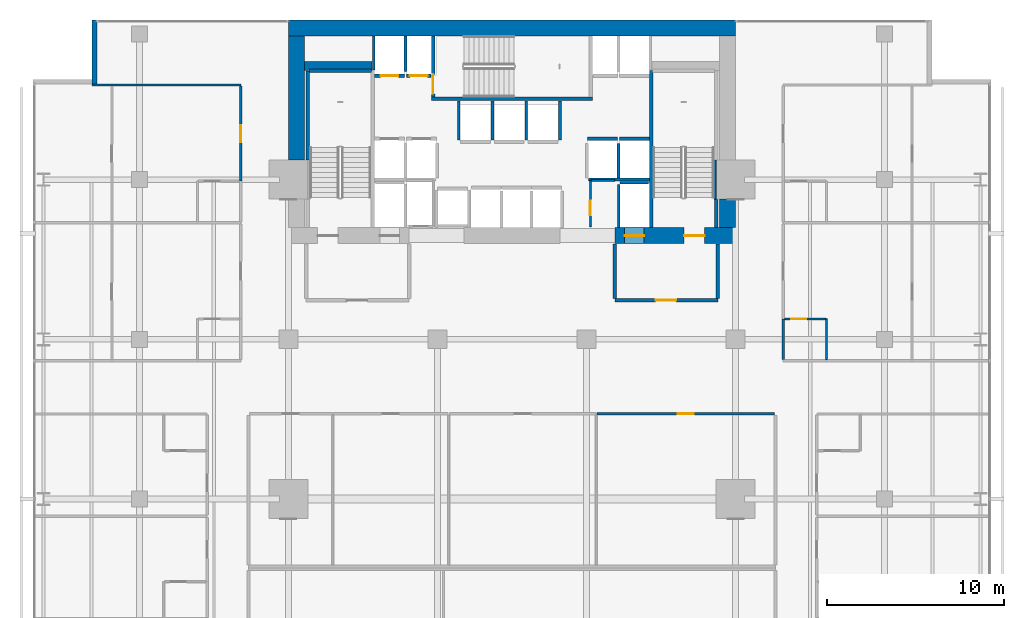
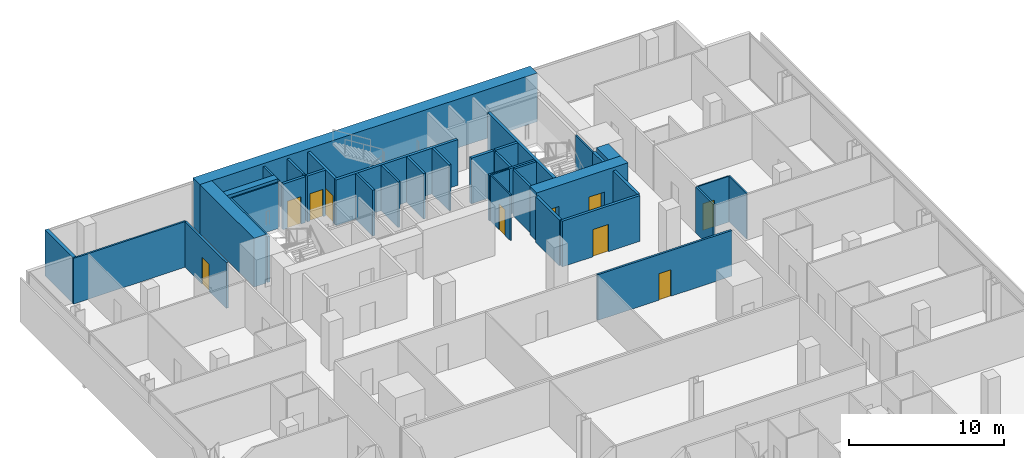
# One storey, part 36 of 40: 38 walls, 10 doors, 10 openings.
"""IFC4 building model written with IfcOpenShell, lengths in metres."""

from ifc_helpers import new_model, si_unit, direction, frame, frame_2d, origin, place, context, subcontext, project, spatial, rectangle, extrude, material, layer, layer_set, type_object, element, fill, save


model = new_model("IFC4")

# Units and contexts
model_context = context("Model", 3, precision=1e-05, world=origin(), true_north=direction((0.0, 1.0)))
body_context = subcontext(model_context, "Body", "Model", "MODEL_VIEW")
ifc_project = project(units=[si_unit("LENGTHUNIT", "METRE"), si_unit("AREAUNIT", "SQUARE_METRE"), si_unit("VOLUMEUNIT", "CUBIC_METRE"), si_unit("PLANEANGLEUNIT", "RADIAN"), si_unit("MASSUNIT", "GRAM", prefix="KILO")], contexts=[model_context])

# Site, building, storey
site_placement = place(None, origin())
site = spatial("IfcSite", under=ifc_project, at=site_placement, CompositionType="ELEMENT")
building_placement = place(site_placement, origin())
building = spatial("IfcBuilding", under=site, at=building_placement, Name="Maruvema Waterfront Hotel and Observation Tower", CompositionType="ELEMENT")
storey_placement = place(building_placement, frame((0.0, 0.0, 92.39990234375)))
storey = spatial("IfcBuildingStorey", under=building, at=storey_placement, Name="L22", CompositionType="ELEMENT", Elevation=92.39990234375)

# Wall, opening, door
ifc_material_1 = material(Name="Twin-stud acoustic gypsum drywall", Category="gypsum")
ifc_layer_1 = layer(ifc_material_1, 0.14990234375, Name="Acoustic Corridor and Suite Demising Wall 150 mm")
ifc_layer_set_1 = layer_set([ifc_layer_1], Name="Twin-stud acoustic gypsum drywall")
wall_type_1 = type_object("IfcWallType", Name="Acoustic Corridor and Suite Demising Wall 150 mm", PredefinedType="PARTITIONING", material=ifc_layer_set_1)
wall_1_placement = place(storey_placement, frame((42.58203125, 31.800048828125, 0.0), z_axis=(0.0, 0.0, 1.0), x_axis=(1.0, 0.0, 0.0)))
wall_1 = element("IfcWall", 1, at=wall_1_placement, inside=storey, type_object=wall_type_1, Name="L22 L22-INTN Front 4 021", PredefinedType="PARTITIONING", context=body_context, shape_type="SweptSolid", body=[
    extrude(rectangle(XDim=10.008056640625, YDim=0.14990234375, at=frame_2d((5.00390625, 0.0))), origin(), (0.0, 0.0, 1.0), 3.610107421875),
])
opening_1_placement = place(wall_1_placement, frame((4.553955078125, 0.0, 0.0)))
opening_1 = element("IfcOpeningElement", 2, at=opening_1_placement, cuts=wall_1, Name="Opening DR-090", PredefinedType="OPENING", context=body_context, shape_type="SweptSolid", body=[
    extrude(rectangle(XDim=0.89990234375, YDim=2.10009765625, at=frame_2d((0.449951171875, 1.050048828125))), frame((0.0, 0.0849609375, 0.0), z_axis=(0.0, -1.0, 0.0), x_axis=(1.0, 0.0, 0.0)), (0.0, 0.0, 1.0), 0.169921875),
])
ifc_material_2 = material(Name="Solid-core lacquered timber leaf", Category="wood")
door_type_1 = type_object("IfcDoorType", Name="Accessible Toilet and Room Door 900x2100 mm", OperationType="NOTDEFINED", PredefinedType="DOOR", material=ifc_material_2)
door_1_placement = place(opening_1_placement, origin())
door_1 = element("IfcDoor", 3, at=door_1_placement, inside=storey, type_object=door_type_1, Name="L22 Butler Kitchenette Door", OperationType="SINGLE_SWING_RIGHT", OverallHeight=2.10009765625, OverallWidth=0.89990234375, PredefinedType="DOOR", context=body_context, shape_type="SweptSolid", body=[
    extrude(rectangle(XDim=0.89990234375, YDim=2.10009765625, at=frame_2d((0.449951171875, 1.050048828125))), frame((0.0, 0.02490234375, 0.0), z_axis=(0.0, -1.0, 0.0), x_axis=(1.0, 0.0, 0.0)), (0.0, 0.0, 1.0), 0.050048828125),
])
fill(opening_1, door_1)

# Wall
wall_2_placement = place(storey_placement, frame((53.080078125, 34.860107421875, 0.0), z_axis=(0.0, 0.0, 1.0), x_axis=(0.0, 1.0, 0.0)))
element("IfcWall", 4, at=wall_2_placement, inside=storey, type_object=wall_type_1, Name="L22 Bath L22-NE1 Wall 098", PredefinedType="PARTITIONING", context=body_context, shape_type="SweptSolid", body=[
    extrude(rectangle(XDim=2.289794921875, YDim=0.14990234375, at=frame_2d((1.14501953125, 0.0))), origin(), (0.0, 0.0, 1.0), 3.610107421875),
])

# Wall, opening, door
wall_3_placement = place(storey_placement, frame((22.52001953125, 44.918701171875, 0.0), z_axis=(0.0, 0.0, 1.0), x_axis=(0.0, 1.0, 0.0)))
wall_3 = element("IfcWall", 5, at=wall_3_placement, inside=storey, type_object=wall_type_1, Name="L22 Room L22-NW2 Corridor Wall 106", PredefinedType="PARTITIONING", context=body_context, shape_type="SweptSolid", body=[
    extrude(rectangle(XDim=5.35888671875, YDim=0.14990234375, at=frame_2d((2.679443359375, 0.0))), origin(), (0.0, 0.0, 1.0), 3.610107421875),
])
opening_2_placement = place(wall_3_placement, frame((2.204345703125, 0.0, 0.0)))
opening_2 = element("IfcOpeningElement", 6, at=opening_2_placement, cuts=wall_3, Name="Opening DR-095", PredefinedType="OPENING", context=body_context, shape_type="SweptSolid", body=[
    extrude(rectangle(XDim=0.949951171875, YDim=2.14990234375, at=frame_2d((0.47509765625, 1.074951171875))), frame((0.0, 0.0849609375, 0.0), z_axis=(0.0, -1.0, 0.0), x_axis=(1.0, 0.0, 0.0)), (0.0, 0.0, 1.0), 0.169921875),
])
ifc_material_3 = material(Name="Acoustic solid-core hardwood timber leaf", Category="wood")
door_type_2 = type_object("IfcDoorType", Name="Guestroom Entrance Fire Door 950x2150 mm", OperationType="NOTDEFINED", PredefinedType="DOOR", material=ifc_material_3)
door_2_placement = place(opening_2_placement, origin())
door_2 = element("IfcDoor", 7, at=door_2_placement, inside=storey, type_object=door_type_2, Name="L22 Room L22-NW2 Entrance Door", OperationType="SINGLE_SWING_RIGHT", OverallHeight=2.14990234375, OverallWidth=0.949951171875, PredefinedType="DOOR", context=body_context, shape_type="SweptSolid", body=[
    extrude(rectangle(XDim=0.949951171875, YDim=2.14990234375, at=frame_2d((0.47509765625, 1.074951171875))), frame((0.0, 0.02490234375, 0.0), z_axis=(0.0, -1.0, 0.0), x_axis=(1.0, 0.0, 0.0)), (0.0, 0.0, 1.0), 0.050048828125),
])
fill(opening_2, door_2)

# Walls
ifc_material_4 = material(Name="Precast concrete C45/55", Category="concrete")
ifc_layer_2 = layer(ifc_material_4, 0.199951171875, Name="Core Shaft and Stairwell Enclosure Wall 200 mm")
ifc_layer_set_2 = layer_set([ifc_layer_2], Name="Precast concrete C45/55")
wall_type_2 = type_object("IfcWallType", Name="Core Shaft and Stairwell Enclosure Wall 200 mm", PredefinedType="SOLIDWALL", material=ifc_layer_set_2)
wall_4_placement = place(storey_placement, frame((26.300048828125, 46.1201171875, 0.0), z_axis=(0.0, 0.0, 1.0), x_axis=(0.0, 1.0, 0.0)))
element("IfcWall", 8, at=wall_4_placement, inside=storey, type_object=wall_type_2, Name="L22 Stairwell ST-01 Shaft Lining Wall", PredefinedType="SOLIDWALL", context=body_context, shape_type="SweptSolid", body=[
    extrude(rectangle(XDim=5.0, YDim=0.199951171875, at=frame_2d((2.5, 0.0))), origin(), (0.0, 0.0, 1.0), 3.610107421875),
])
wall_5_placement = place(storey_placement, frame((26.3798828125, 51.14990234375, 0.0), z_axis=(0.0, 0.0, 1.0), x_axis=(1.0, 0.0, 0.0)))
element("IfcWall", 9, at=wall_5_placement, inside=storey, type_object=wall_type_2, Name="L22 Stairwell ST-01 Shaft Lining Wall", PredefinedType="SOLIDWALL", context=body_context, shape_type="SweptSolid", body=[
    extrude(rectangle(XDim=3.5, YDim=0.199951171875, at=frame_2d((1.75, 0.0))), origin(), (0.0, 0.0, 1.0), 3.610107421875),
])
wall_6_placement = place(storey_placement, frame((33.25, 49.550048828125, 0.0), z_axis=(0.0, 0.0, 1.0), x_axis=(1.0, 0.0, 0.0)))
element("IfcWall", 10, at=wall_6_placement, inside=storey, type_object=wall_type_2, Name="L22 Stairwell ST-02 Shaft Wall", PredefinedType="SOLIDWALL", context=body_context, shape_type="SweptSolid", body=[
    extrude(rectangle(XDim=9.10009765625, YDim=0.199951171875, at=frame_2d((4.550048828125, 0.0))), origin(), (0.0, 0.0, 1.0), 3.610107421875),
])

# Wall, opening, door
wall_7_placement = place(storey_placement, frame((33.35009765625, 49.64990234375, 0.0), z_axis=(0.0, 0.0, 1.0), x_axis=(0.0, 1.0, 0.0)))
wall_7 = element("IfcWall", 11, at=wall_7_placement, inside=storey, type_object=wall_type_2, Name="L22 Stairwell ST-02 Shaft Wall", PredefinedType="SOLIDWALL", context=body_context, shape_type="SweptSolid", body=[
    extrude(rectangle(XDim=3.4501953125, YDim=0.199951171875, at=frame_2d((1.72509765625, 0.0))), origin(), (0.0, 0.0, 1.0), 3.610107421875),
])
opening_3_placement = place(wall_7_placement, frame((0.179931640625, 0.0, 0.0)))
opening_3 = element("IfcOpeningElement", 12, at=opening_3_placement, cuts=wall_7, Name="Opening SD-02", PredefinedType="OPENING", context=body_context, shape_type="SweptSolid", body=[
    extrude(rectangle(XDim=1.10009765625, YDim=2.14990234375, at=frame_2d((0.550048828125, 1.074951171875))), frame((0.0, 0.10986328125, 0.0), z_axis=(0.0, -1.0, 0.0), x_axis=(1.0, 0.0, 0.0)), (0.0, 0.0, 1.0), 0.219970703125),
])
ifc_material_5 = material(Name="Fire-rated galvanised steel leaf", Category="steel")
door_type_3 = type_object("IfcDoorType", Name="Central Exit Stair Fire Door 1100x2150 mm", OperationType="NOTDEFINED", PredefinedType="DOOR", material=ifc_material_5)
door_3_placement = place(opening_3_placement, frame((1.10009765625, 0.0, 0.0), z_axis=(0.0, 0.0, 1.0), x_axis=(-1.0, 0.0, 0.0)))
door_3 = element("IfcDoor", 13, at=door_3_placement, inside=storey, type_object=door_type_3, Name="L22 Exit Stair ST-02 Fire Door", OperationType="SINGLE_SWING_LEFT", OverallHeight=2.14990234375, OverallWidth=1.10009765625, PredefinedType="DOOR", context=body_context, shape_type="SweptSolid", body=[
    extrude(rectangle(XDim=1.10009765625, YDim=2.14990234375, at=frame_2d((0.550048828125, 1.074951171875))), frame((0.0, 0.02490234375, 0.0), z_axis=(0.0, -1.0, 0.0), x_axis=(1.0, 0.0, 0.0)), (0.0, 0.0, 1.0), 0.050048828125),
])
fill(opening_3, door_3)

# Walls
wall_8_placement = place(storey_placement, frame((45.64990234375, 42.300048828125, 0.0), z_axis=(0.0, 0.0, 1.0), x_axis=(0.0, 1.0, 0.0)))
element("IfcWall", 14, at=wall_8_placement, inside=storey, type_object=wall_type_2, Name="L22 Stairwell ST-03 West Shaft Wall", PredefinedType="SOLIDWALL", context=body_context, shape_type="SweptSolid", body=[
    extrude(rectangle(XDim=8.849853515625, YDim=0.199951171875, at=frame_2d((4.4248046875, 0.0))), origin(), (0.0, 0.0, 1.0), 3.610107421875),
])
wall_9_placement = place(storey_placement, frame((49.300048828125, 42.300048828125, 0.0), z_axis=(0.0, 0.0, 1.0), x_axis=(0.0, 1.0, 0.0)))
element("IfcWall", 15, at=wall_9_placement, inside=storey, type_object=wall_type_2, Name="L22 Stairwell ST-03 Shaft Lining Wall", PredefinedType="SOLIDWALL", context=body_context, shape_type="SweptSolid", body=[
    extrude(rectangle(XDim=1.579833984375, YDim=0.199951171875, at=frame_2d((0.7900390625, 0.0))), origin(), (0.0, 0.0, 1.0), 3.610107421875),
])

# Wall, opening, door
wall_10_placement = place(storey_placement, frame((30.06005859375, 50.85009765625, 0.0), z_axis=(0.0, 0.0, 1.0), x_axis=(1.0, 0.0, 0.0)))
wall_10 = element("IfcWall", 16, at=wall_10_placement, inside=storey, type_object=wall_type_2, Name="L22 Lift LF-03 Hoistway Front Wall", PredefinedType="SOLIDWALL", context=body_context, shape_type="SweptSolid", body=[
    extrude(rectangle(XDim=1.679931640625, YDim=0.199951171875, at=frame_2d((0.83984375, 0.0))), origin(), (0.0, 0.0, 1.0), 3.610107421875),
])
opening_4_placement = place(wall_10_placement, frame((0.340087890625, 0.0, 0.0)))
opening_4 = element("IfcOpeningElement", 17, at=opening_4_placement, cuts=wall_10, Name="Opening LD-01", PredefinedType="OPENING", context=body_context, shape_type="SweptSolid", body=[
    extrude(rectangle(XDim=1.0, YDim=2.14990234375, at=frame_2d((0.5, 1.074951171875))), frame((0.0, 0.10986328125, 0.0), z_axis=(0.0, -1.0, 0.0), x_axis=(1.0, 0.0, 0.0)), (0.0, 0.0, 1.0), 0.219970703125),
])
ifc_material_6 = material(Name="Brushed stainless steel Grade 316", Category="steel")
door_type_4 = type_object("IfcDoorType", Name="Passenger Lift Sliding Landing Door 1000x2150 mm", OperationType="SLIDING_TO_LEFT", PredefinedType="DOOR", material=ifc_material_6)
door_4_placement = place(opening_4_placement, frame((1.0, 0.0, 0.0), z_axis=(0.0, 0.0, 1.0), x_axis=(-1.0, 0.0, 0.0)))
door_4 = element("IfcDoor", 18, at=door_4_placement, inside=storey, type_object=door_type_4, Name="L22 Lift LF-03 Sliding Landing Door", OperationType="SLIDING_TO_LEFT", OverallHeight=2.14990234375, OverallWidth=1.0, PredefinedType="DOOR", context=body_context, shape_type="SweptSolid", body=[
    extrude(rectangle(XDim=1.0, YDim=2.14990234375, at=frame_2d((0.5, 1.074951171875))), frame((0.0, 0.02490234375, 0.0), z_axis=(0.0, -1.0, 0.0), x_axis=(1.0, 0.0, 0.0)), (0.0, 0.0, 1.0), 0.050048828125),
])
fill(opening_4, door_4)

wall_11_placement = place(storey_placement, frame((31.860107421875, 50.85009765625, 0.0), z_axis=(0.0, 0.0, 1.0), x_axis=(1.0, 0.0, 0.0)))
wall_11 = element("IfcWall", 19, at=wall_11_placement, inside=storey, type_object=wall_type_2, Name="L22 Lift LF-04 Hoistway Front Wall", PredefinedType="SOLIDWALL", context=body_context, shape_type="SweptSolid", body=[
    extrude(rectangle(XDim=1.3798828125, YDim=0.199951171875, at=frame_2d((0.68994140625, 0.0))), origin(), (0.0, 0.0, 1.0), 3.610107421875),
])
opening_5_placement = place(wall_11_placement, frame((0.18994140625, 0.0, 0.0)))
opening_5 = element("IfcOpeningElement", 20, at=opening_5_placement, cuts=wall_11, Name="Opening LD-01", PredefinedType="OPENING", context=body_context, shape_type="SweptSolid", body=[
    extrude(rectangle(XDim=1.0, YDim=2.14990234375, at=frame_2d((0.5, 1.074951171875))), frame((0.0, 0.10986328125, 0.0), z_axis=(0.0, -1.0, 0.0), x_axis=(1.0, 0.0, 0.0)), (0.0, 0.0, 1.0), 0.219970703125),
])
door_5_placement = place(opening_5_placement, frame((1.0, 0.0, 0.0), z_axis=(0.0, 0.0, 1.0), x_axis=(-1.0, 0.0, 0.0)))
door_5 = element("IfcDoor", 21, at=door_5_placement, inside=storey, type_object=door_type_4, Name="L22 Lift LF-04 Sliding Landing Door", OperationType="SLIDING_TO_LEFT", OverallHeight=2.14990234375, OverallWidth=1.0, PredefinedType="DOOR", context=body_context, shape_type="SweptSolid", body=[
    extrude(rectangle(XDim=1.0, YDim=2.14990234375, at=frame_2d((0.5, 1.074951171875))), frame((0.0, 0.02490234375, 0.0), z_axis=(0.0, -1.0, 0.0), x_axis=(1.0, 0.0, 0.0)), (0.0, 0.0, 1.0), 0.050048828125),
])
fill(opening_5, door_5)

# Walls
for number, where, z_axis, x_axis, name in (
    (22, (42.06005859375, 47.300048828125, 0.0), (0.0, 0.0, 1.0), (1.0, 0.0, 0.0), "L22 Lift LF-05 Hoistway Front Wall"),
    (23, (43.860107421875, 47.300048828125, 0.0), (0.0, 0.0, 1.0), (1.0, 0.0, 0.0), "L22 Lift LF-06 Hoistway Front Wall"),
):
    element("IfcWall", number, at=place(storey_placement, frame(where, z_axis=z_axis, x_axis=x_axis)), inside=storey, type_object=wall_type_2, Name=name, PredefinedType="SOLIDWALL", context=body_context, shape_type="SweptSolid", body=[
        extrude(rectangle(XDim=1.679931640625, YDim=0.199951171875, at=frame_2d((0.83984375, 0.0))), origin(), (0.0, 0.0, 1.0), 3.610107421875),
    ])
ifc_material_7 = material(Name="Concrete C70/85", Category="concrete")
ifc_layer_3 = layer(ifc_material_7, 0.5, Name="Core Shear Wall 500 mm")
ifc_layer_set_3 = layer_set([ifc_layer_3], Name="Concrete C70/85")
wall_type_3 = type_object("IfcWallType", Name="Core Shear Wall 500 mm", PredefinedType="SHEAR", material=ifc_layer_set_3)
wall_12_placement = place(storey_placement, frame((26.10009765625, 51.39990234375, 0.0), z_axis=(0.0, 0.0, 1.0), x_axis=(1.0, 0.0, 0.0)))
element("IfcWall", 24, at=wall_12_placement, inside=storey, type_object=wall_type_3, Name="L22 Internal Core Shear Wall NW 500 mm", PredefinedType="SHEAR", context=body_context, shape_type="SweptSolid", body=[
    extrude(rectangle(XDim=3.7998046875, YDim=0.5, at=frame_2d((1.89990234375, 0.0))), origin(), (0.0, 0.0, 1.0), 3.85009765625),
])
ifc_material_8 = material(Name="Concrete C80/95", Category="concrete")
ifc_layer_4 = layer(ifc_material_8, 0.89990234375, Name="Core Shear Wall 900 mm")
ifc_layer_set_4 = layer_set([ifc_layer_4], Name="Concrete C80/95")
wall_type_4 = type_object("IfcWallType", Name="Core Shear Wall 900 mm", PredefinedType="SHEAR", material=ifc_layer_set_4)
wall_13_placement = place(storey_placement, frame((25.199951171875, 53.550048828125, 0.0), z_axis=(0.0, 0.0, 1.0), x_axis=(1.0, 0.0, 0.0)))
element("IfcWall", 25, at=wall_13_placement, inside=storey, type_object=wall_type_4, Name="L22 North Core Shear Wall", PredefinedType="SHEAR", context=body_context, shape_type="SweptSolid", body=[
    extrude(rectangle(XDim=25.199951171875, YDim=0.89990234375, at=frame_2d((12.60009765625, 0.0))), origin(), (0.0, 0.0, 1.0), 3.85009765625),
])

# Wall, openings, doors
wall_14_placement = place(storey_placement, frame((43.60009765625, 41.85009765625, 0.0), z_axis=(0.0, 0.0, 1.0), x_axis=(1.0, 0.0, 0.0)))
wall_14 = element("IfcWall", 26, at=wall_14_placement, inside=storey, type_object=wall_type_4, Name="L22 South-East Core Shear Wall", PredefinedType="SHEAR", context=body_context, shape_type="SweptSolid", body=[
    extrude(rectangle(XDim=6.7998046875, YDim=0.89990234375, at=frame_2d((3.39990234375, 0.0))), origin(), (0.0, 0.0, 1.0), 3.85009765625),
])
opening_6_placement = place(wall_14_placement, frame((3.89990234375, 0.0, 0.0)))
opening_6 = element("IfcOpeningElement", 27, at=opening_6_placement, cuts=wall_14, Name="Opening SD-01", PredefinedType="OPENING", context=body_context, shape_type="SweptSolid", body=[
    extrude(rectangle(XDim=1.14990234375, YDim=2.14990234375, at=frame_2d((0.574951171875, 1.074951171875))), frame((0.0, 0.4599609375, 0.0), z_axis=(0.0, -1.0, 0.0), x_axis=(1.0, 0.0, 0.0)), (0.0, 0.0, 1.0), 0.919921875),
])
opening_7_placement = place(wall_14_placement, frame((0.550048828125, 0.0, 0.0)))
opening_7 = element("IfcOpeningElement", 28, at=opening_7_placement, cuts=wall_14, Name="Opening LD-03", PredefinedType="OPENING", context=body_context, shape_type="SweptSolid", body=[
    extrude(rectangle(XDim=1.10009765625, YDim=2.199951171875, at=frame_2d((0.550048828125, 1.10009765625))), frame((0.0, 0.4599609375, 0.0), z_axis=(0.0, -1.0, 0.0), x_axis=(1.0, 0.0, 0.0)), (0.0, 0.0, 1.0), 0.919921875),
])
ifc_material_9 = material(Name="Fire-rated galvanised steel leaf", Category="steel")
door_type_5 = type_object("IfcDoorType", Name="Exit Stair Fire Door 1150x2150 mm", OperationType="NOTDEFINED", PredefinedType="DOOR", material=ifc_material_9)
door_6_placement = place(opening_6_placement, origin())
door_6 = element("IfcDoor", 29, at=door_6_placement, inside=storey, type_object=door_type_5, Name="L22 Exit Stair ST-03 Fire Door", OperationType="SINGLE_SWING_RIGHT", OverallHeight=2.14990234375, OverallWidth=1.14990234375, PredefinedType="DOOR", context=body_context, shape_type="SweptSolid", body=[
    extrude(rectangle(XDim=1.14990234375, YDim=2.14990234375, at=frame_2d((0.574951171875, 1.074951171875))), frame((0.0, 0.02490234375, 0.0), z_axis=(0.0, -1.0, 0.0), x_axis=(1.0, 0.0, 0.0)), (0.0, 0.0, 1.0), 0.050048828125),
])
fill(opening_6, door_6)
ifc_material_10 = material(Name="Brushed stainless steel Grade 316", Category="steel")
door_type_6 = type_object("IfcDoorType", Name="Firefighting Lift Sliding Landing Door 1100x2200 mm", OperationType="SLIDING_TO_LEFT", PredefinedType="DOOR", material=ifc_material_10)
door_7_placement = place(opening_7_placement, frame((1.10009765625, 0.0, 0.0), z_axis=(0.0, 0.0, 1.0), x_axis=(-1.0, 0.0, 0.0)))
door_7 = element("IfcDoor", 30, at=door_7_placement, inside=storey, type_object=door_type_6, Name="L22 Firefighting Lift FL-02 Landing Door", OperationType="SLIDING_TO_LEFT", OverallHeight=2.199951171875, OverallWidth=1.10009765625, PredefinedType="DOOR", context=body_context, shape_type="SweptSolid", body=[
    extrude(rectangle(XDim=1.10009765625, YDim=2.199951171875, at=frame_2d((0.550048828125, 1.10009765625))), frame((0.0, 0.02490234375, 0.0), z_axis=(0.0, -1.0, 0.0), x_axis=(1.0, 0.0, 0.0)), (0.0, 0.0, 1.0), 0.050048828125),
])
fill(opening_7, door_7)

# Walls
wall_15_placement = place(storey_placement, frame((25.64990234375, 46.10009765625, 0.0), z_axis=(0.0, 0.0, 1.0), x_axis=(0.0, 1.0, 0.0)))
element("IfcWall", 31, at=wall_15_placement, inside=storey, type_object=wall_type_4, Name="L22 West-North Core Shear Wall", PredefinedType="SHEAR", context=body_context, shape_type="SweptSolid", body=[
    extrude(rectangle(XDim=7.0, YDim=0.89990234375, at=frame_2d((3.5, 0.0))), origin(), (0.0, 0.0, 1.0), 3.85009765625),
])
wall_16_placement = place(storey_placement, frame((49.949951171875, 42.300048828125, 0.0), z_axis=(0.0, 0.0, 1.0), x_axis=(0.0, 1.0, 0.0)))
element("IfcWall", 32, at=wall_16_placement, inside=storey, type_object=wall_type_4, Name="L22 East-South Core Shear Wall", PredefinedType="SHEAR", context=body_context, shape_type="SweptSolid", body=[
    extrude(rectangle(XDim=1.599853515625, YDim=0.89990234375, at=frame_2d((0.7998046875, 0.0))), origin(), (0.0, 0.0, 1.0), 3.85009765625),
])

# Wall, opening, door
ifc_material_11 = material(Name="Moisture-resistant cement-board drywall", Category="gypsum")
ifc_layer_5 = layer(ifc_material_11, 0.10009765625, Name="En-Suite Moisture-Resistant Partition 100 mm")
ifc_layer_set_5 = layer_set([ifc_layer_5], Name="Moisture-resistant cement-board drywall")
wall_type_5 = type_object("IfcWallType", Name="En-Suite Moisture-Resistant Partition 100 mm", PredefinedType="PARTITIONING", material=ifc_layer_set_5)
wall_17_placement = place(storey_placement, frame((42.219970703125, 42.35009765625, 0.0), z_axis=(0.0, 0.0, 1.0), x_axis=(0.0, 1.0, 0.0)))
wall_17 = element("IfcWall", 33, at=wall_17_placement, inside=storey, type_object=wall_type_5, Name="L22 Core Closet K1 West 010", PredefinedType="PARTITIONING", context=body_context, shape_type="SweptSolid", body=[
    extrude(rectangle(XDim=2.60986328125, YDim=0.10009765625, at=frame_2d((1.304931640625, 0.0))), origin(), (0.0, 0.0, 1.0), 3.610107421875),
])
opening_8_placement = place(wall_17_placement, frame((0.64990234375, 0.0, 0.0)))
opening_8 = element("IfcOpeningElement", 34, at=opening_8_placement, cuts=wall_17, Name="Opening DR-080", PredefinedType="OPENING", context=body_context, shape_type="SweptSolid", body=[
    extrude(rectangle(XDim=0.800048828125, YDim=2.050048828125, at=frame_2d((0.39990234375, 1.02490234375))), frame((0.0, 0.06005859375, 0.0), z_axis=(0.0, -1.0, 0.0), x_axis=(1.0, 0.0, 0.0)), (0.0, 0.0, 1.0), 0.1201171875),
])
ifc_material_12 = material(Name="Powder-coated steel access leaf", Category="steel")
door_type_7 = type_object("IfcDoorType", Name="Riser and Service Cupboard Door 800x2050 mm", OperationType="NOTDEFINED", PredefinedType="DOOR", material=ifc_material_12)
door_8_placement = place(opening_8_placement, frame((0.800048828125, 0.0, 0.0), z_axis=(0.0, 0.0, 1.0), x_axis=(-1.0, 0.0, 0.0)))
door_8 = element("IfcDoor", 35, at=door_8_placement, inside=storey, type_object=door_type_7, Name="L22 Core Cleaning Store Door", OperationType="SINGLE_SWING_RIGHT", OverallHeight=2.050048828125, OverallWidth=0.800048828125, PredefinedType="DOOR", context=body_context, shape_type="SweptSolid", body=[
    extrude(rectangle(XDim=0.800048828125, YDim=2.050048828125, at=frame_2d((0.39990234375, 1.02490234375))), frame((0.0, 0.02490234375, 0.0), z_axis=(0.0, -1.0, 0.0), x_axis=(1.0, 0.0, 0.0)), (0.0, 0.0, 1.0), 0.050048828125),
])
fill(opening_8, door_8)

# Walls
wall_18_placement = place(storey_placement, frame((42.280029296875, 44.9599609375, 0.0), z_axis=(0.0, 0.0, 1.0), x_axis=(1.0, 0.0, 0.0)))
element("IfcWall", 36, at=wall_18_placement, inside=storey, type_object=wall_type_5, Name="L22 Core Closet K1 North 011", PredefinedType="PARTITIONING", context=body_context, shape_type="SweptSolid", body=[
    extrude(rectangle(XDim=1.300048828125, YDim=0.10009765625, at=frame_2d((0.64990234375, 0.0))), origin(), (0.0, 0.0, 1.0), 3.610107421875),
])
wall_19_placement = place(storey_placement, frame((55.530029296875, 34.860107421875, 0.0), z_axis=(0.0, 0.0, 1.0), x_axis=(0.0, 1.0, 0.0)))
element("IfcWall", 37, at=wall_19_placement, inside=storey, type_object=wall_type_5, Name="L22 En-Suite L22-NE1 E 100", PredefinedType="PARTITIONING", context=body_context, shape_type="SweptSolid", body=[
    extrude(rectangle(XDim=2.289794921875, YDim=0.10009765625, at=frame_2d((1.14501953125, 0.0))), origin(), (0.0, 0.0, 1.0), 3.610107421875),
])

# Wall, opening, door
wall_20_placement = place(storey_placement, frame((53.179931640625, 37.14990234375, 0.0), z_axis=(0.0, 0.0, 1.0), x_axis=(1.0, 0.0, 0.0)))
wall_20 = element("IfcWall", 38, at=wall_20_placement, inside=storey, type_object=wall_type_5, Name="L22 En-Suite L22-NE1 N 101", PredefinedType="PARTITIONING", context=body_context, shape_type="SweptSolid", body=[
    extrude(rectangle(XDim=2.300048828125, YDim=0.10009765625, at=frame_2d((1.14990234375, 0.0))), origin(), (0.0, 0.0, 1.0), 3.610107421875),
])
opening_9_placement = place(wall_20_placement, frame((0.35009765625, 0.0, 0.0)))
opening_9 = element("IfcOpeningElement", 39, at=opening_9_placement, cuts=wall_20, Name="Opening DR-085", PredefinedType="OPENING", context=body_context, shape_type="SweptSolid", body=[
    extrude(rectangle(XDim=0.85009765625, YDim=2.10009765625, at=frame_2d((0.425048828125, 1.050048828125))), frame((0.0, 0.06005859375, 0.0), z_axis=(0.0, -1.0, 0.0), x_axis=(1.0, 0.0, 0.0)), (0.0, 0.0, 1.0), 0.1201171875),
])
ifc_material_13 = material(Name="Moisture-resistant solid timber leaf", Category="wood")
door_type_8 = type_object("IfcDoorType", Name="En-Suite Bathroom Door 850x2100 mm", OperationType="NOTDEFINED", PredefinedType="DOOR", material=ifc_material_13)
door_9_placement = place(opening_9_placement, origin())
door_9 = element("IfcDoor", 40, at=door_9_placement, inside=storey, type_object=door_type_8, Name="L22 En-Suite L22-NE1 Door", OperationType="SINGLE_SWING_RIGHT", OverallHeight=2.10009765625, OverallWidth=0.85009765625, PredefinedType="DOOR", context=body_context, shape_type="SweptSolid", body=[
    extrude(rectangle(XDim=0.85009765625, YDim=2.10009765625, at=frame_2d((0.425048828125, 1.050048828125))), frame((0.0, 0.02490234375, 0.0), z_axis=(0.0, -1.0, 0.0), x_axis=(1.0, 0.0, 0.0)), (0.0, 0.0, 1.0), 0.050048828125),
])
fill(opening_9, door_9)

# Wall
ifc_material_14 = material(Name="Precast concrete C45/55 with honed Pernambuco granite facing", Category="masonry")
ifc_layer_6 = layer(ifc_material_14, 0.260009765625, Name="Exterior Granite Clad Spandrel and Pier Wall 260 mm")
ifc_layer_set_6 = layer_set([ifc_layer_6], Name="Precast concrete C45/55 with honed Pernambuco granite facing")
wall_type_6 = type_object("IfcWallType", Name="Exterior Granite Clad Spandrel and Pier Wall 260 mm", PredefinedType="SOLIDWALL", material=ifc_layer_set_6)
wall_21_placement = place(storey_placement, frame((14.27001953125, 50.39990234375, 0.0), z_axis=(0.0, 0.0, 1.0), x_axis=(0.0, 1.0, 0.0)))
element("IfcWall", 41, at=wall_21_placement, inside=storey, type_object=wall_type_6, Name="L22 Corner Notch Granite Pier Wall NW1", PredefinedType="SOLIDWALL", context=body_context, shape_type="SweptSolid", body=[
    extrude(rectangle(XDim=3.60009765625, YDim=0.260009765625, at=frame_2d((1.800048828125, 0.0))), origin(), (0.0, 0.0, 1.0), 3.610107421875),
])

# Wall, opening, door
ifc_material_15 = material(Name="Autoclaved cellular concrete blockwork", Category="masonry")
ifc_layer_7 = layer(ifc_material_15, 0.199951171875, Name="Fire Compartment Masonry Wall 200 mm")
ifc_layer_set_7 = layer_set([ifc_layer_7], Name="Autoclaved cellular concrete blockwork")
wall_type_7 = type_object("IfcWallType", Name="Fire Compartment Masonry Wall 200 mm", PredefinedType="PARTITIONING", material=ifc_layer_set_7)
wall_22_placement = place(storey_placement, frame((43.60009765625, 38.199951171875, 0.0), z_axis=(0.0, 0.0, 1.0), x_axis=(1.0, 0.0, 0.0)))
wall_22 = element("IfcWall", 42, at=wall_22_placement, inside=storey, type_object=wall_type_7, Name="L22 FFL East South Wall 004", PredefinedType="PARTITIONING", context=body_context, shape_type="SweptSolid", body=[
    extrude(rectangle(XDim=5.7998046875, YDim=0.199951171875, at=frame_2d((2.89990234375, 0.0))), origin(), (0.0, 0.0, 1.0), 3.610107421875),
])
opening_10_placement = place(wall_22_placement, frame((2.300048828125, 0.0, 0.0)))
opening_10 = element("IfcOpeningElement", 43, at=opening_10_placement, cuts=wall_22, Name="Opening FD-115", PredefinedType="OPENING", context=body_context, shape_type="SweptSolid", body=[
    extrude(rectangle(XDim=1.14990234375, YDim=2.14990234375, at=frame_2d((0.574951171875, 1.074951171875))), frame((0.0, 0.10986328125, 0.0), z_axis=(0.0, -1.0, 0.0), x_axis=(1.0, 0.0, 0.0)), (0.0, 0.0, 1.0), 0.219970703125),
])
ifc_material_16 = material(Name="Fire-rated galvanised steel and vision glass", Category="steel")
door_type_9 = type_object("IfcDoorType", Name="Firefighting Lobby Fire Door 1150x2150 mm", OperationType="NOTDEFINED", PredefinedType="DOOR", material=ifc_material_16)
door_10_placement = place(opening_10_placement, frame((1.14990234375, 0.0, 0.0), z_axis=(0.0, 0.0, 1.0), x_axis=(-1.0, 0.0, 0.0)))
door_10 = element("IfcDoor", 44, at=door_10_placement, inside=storey, type_object=door_type_9, Name="L22 Firefighting Lobby East Door", OperationType="SINGLE_SWING_RIGHT", OverallHeight=2.14990234375, OverallWidth=1.14990234375, PredefinedType="DOOR", context=body_context, shape_type="SweptSolid", body=[
    extrude(rectangle(XDim=1.14990234375, YDim=2.14990234375, at=frame_2d((0.574951171875, 1.074951171875))), frame((0.0, 0.02490234375, 0.0), z_axis=(0.0, -1.0, 0.0), x_axis=(1.0, 0.0, 0.0)), (0.0, 0.0, 1.0), 0.050048828125),
])
fill(opening_10, door_10)

# Walls
for number, where, z_axis, x_axis, name in (
    (45, (43.60009765625, 38.31005859375, 0.0), (0.0, 0.0, 1.0), (0.0, 1.0, 0.0), "L22 FFL East West Wall 005"),
    (46, (49.39990234375, 38.31005859375, 0.0), (0.0, 0.0, 1.0), (0.0, 1.0, 0.0), "L22 FFL East East Wall 006"),
):
    element("IfcWall", number, at=place(storey_placement, frame(where, z_axis=z_axis, x_axis=x_axis)), inside=storey, type_object=wall_type_7, Name=name, PredefinedType="PARTITIONING", context=body_context, shape_type="SweptSolid", body=[
        extrude(rectangle(XDim=3.06982421875, YDim=0.199951171875, at=frame_2d((1.534912109375, 0.0))), origin(), (0.0, 0.0, 1.0), 3.610107421875),
    ])
ifc_material_17 = material(Name="Acoustic gypsum plasterboard drywall", Category="gypsum")
ifc_layer_8 = layer(ifc_material_17, 0.125, Name="Guestroom Acoustic Demising Wall 125 mm")
ifc_layer_set_8 = layer_set([ifc_layer_8], Name="Acoustic gypsum plasterboard drywall")
wall_type_8 = type_object("IfcWallType", Name="Guestroom Acoustic Demising Wall 125 mm", PredefinedType="PARTITIONING", material=ifc_layer_set_8)
wall_23_placement = place(storey_placement, frame((14.139892578125, 50.33740234375, 0.0), z_axis=(0.0, 0.0, 1.0), x_axis=(1.0, 0.0, 0.0)))
element("IfcWall", 47, at=wall_23_placement, inside=storey, type_object=wall_type_8, Name="L22 NW Top End 091", PredefinedType="PARTITIONING", context=body_context, shape_type="SweptSolid", body=[
    extrude(rectangle(XDim=8.380126953125, YDim=0.125, at=frame_2d((4.18994140625, 0.0))), origin(), (0.0, 0.0, 1.0), 3.610107421875),
])
ifc_material_18 = material(Name="Precast concrete C45/55", Category="concrete")
ifc_layer_9 = layer(ifc_material_18, 0.159912109375, Name="Lift Hoistway Divider Wall 160 mm")
ifc_layer_set_9 = layer_set([ifc_layer_9], Name="Precast concrete C45/55")
wall_type_9 = type_object("IfcWallType", Name="Lift Hoistway Divider Wall 160 mm", PredefinedType="SOLIDWALL", material=ifc_layer_set_9)
wall_24_placement = place(storey_placement, frame((43.89990234375, 44.830078125, 0.0), z_axis=(0.0, 0.0, 1.0), x_axis=(1.0, 0.0, 0.0)))
element("IfcWall", 48, at=wall_24_placement, inside=storey, type_object=wall_type_9, Name="L22 Lift FL-02 Rear Hoistway Wall", PredefinedType="SOLIDWALL", context=body_context, shape_type="SweptSolid", body=[
    extrude(rectangle(XDim=1.60009765625, YDim=0.159912109375, at=frame_2d((0.800048828125, 0.0))), origin(), (0.0, 0.0, 1.0), 3.610107421875),
])
wall_25_placement = place(storey_placement, frame((43.820068359375, 42.300048828125, 0.0), z_axis=(0.0, 0.0, 1.0), x_axis=(0.0, 1.0, 0.0)))
element("IfcWall", 49, at=wall_25_placement, inside=storey, type_object=wall_type_9, Name="L22 Lift FL-02 Inner Hoistway Wall", PredefinedType="SOLIDWALL", context=body_context, shape_type="SweptSolid", body=[
    extrude(rectangle(XDim=2.43994140625, YDim=0.159912109375, at=frame_2d((1.219970703125, 0.0))), origin(), (0.0, 0.0, 1.0), 3.610107421875),
])
wall_26_placement = place(storey_placement, frame((30.010009765625, 51.179931640625, 0.0), z_axis=(0.0, 0.0, 1.0), x_axis=(0.0, 1.0, 0.0)))
element("IfcWall", 50, at=wall_26_placement, inside=storey, type_object=wall_type_9, Name="L22 Hoistway Divider Wall", PredefinedType="SOLIDWALL", context=body_context, shape_type="SweptSolid", body=[
    extrude(rectangle(XDim=1.920166015625, YDim=0.159912109375, at=frame_2d((0.9599609375, 0.0))), origin(), (0.0, 0.0, 1.0), 3.610107421875),
])
wall_27_placement = place(storey_placement, frame((31.800048828125, 51.10009765625, 0.0), z_axis=(0.0, 0.0, 1.0), x_axis=(0.0, 1.0, 0.0)))
element("IfcWall", 51, at=wall_27_placement, inside=storey, type_object=wall_type_9, Name="L22 Hoistway Divider Wall", PredefinedType="SOLIDWALL", context=body_context, shape_type="SweptSolid", body=[
    extrude(rectangle(XDim=2.0, YDim=0.159912109375, at=frame_2d((1.0, 0.0))), origin(), (0.0, 0.0, 1.0), 3.610107421875),
])
wall_28_placement = place(storey_placement, frame((43.800048828125, 45.10009765625, 0.0), z_axis=(0.0, 0.0, 1.0), x_axis=(0.0, 1.0, 0.0)))
element("IfcWall", 52, at=wall_28_placement, inside=storey, type_object=wall_type_9, Name="L22 Hoistway Divider Wall", PredefinedType="SOLIDWALL", context=body_context, shape_type="SweptSolid", body=[
    extrude(rectangle(XDim=1.949951171875, YDim=0.159912109375, at=frame_2d((0.97509765625, 0.0))), origin(), (0.0, 0.0, 1.0), 3.610107421875),
])
wall_29_placement = place(storey_placement, frame((42.10009765625, 45.010009765625, 0.0), z_axis=(0.0, 0.0, 1.0), x_axis=(1.0, 0.0, 0.0)))
element("IfcWall", 53, at=wall_29_placement, inside=storey, type_object=wall_type_9, Name="L22 Hoistway Divider Wall", PredefinedType="SOLIDWALL", context=body_context, shape_type="SweptSolid", body=[
    extrude(rectangle(XDim=3.449951171875, YDim=0.159912109375, at=frame_2d((1.72509765625, 0.0))), origin(), (0.0, 0.0, 1.0), 3.610107421875),
])
for number, where, z_axis, x_axis, name in (
    (54, (34.800048828125, 47.25, 0.0), (0.0, 0.0, 1.0), (0.0, 1.0, 0.0), "L22 Hoistway Divider Wall"),
    (55, (36.699951171875, 47.25, 0.0), (0.0, 0.0, 1.0), (0.0, 1.0, 0.0), "L22 Hoistway Divider Wall"),
    (56, (38.60009765625, 47.25, 0.0), (0.0, 0.0, 1.0), (0.0, 1.0, 0.0), "L22 Hoistway Divider Wall"),
    (57, (40.5, 47.25, 0.0), (0.0, 0.0, 1.0), (0.0, 1.0, 0.0), "L22 Hoistway Divider Wall"),
):
    element("IfcWall", number, at=place(storey_placement, frame(where, z_axis=z_axis, x_axis=x_axis)), inside=storey, type_object=wall_type_9, Name=name, PredefinedType="SOLIDWALL", context=body_context, shape_type="SweptSolid", body=[
        extrude(rectangle(XDim=2.18994140625, YDim=0.159912109375, at=frame_2d((1.094970703125, 0.0))), origin(), (0.0, 0.0, 1.0), 3.610107421875),
    ])
ifc_material_19 = material(Name="Precast concrete C45/55", Category="concrete")
ifc_layer_10 = layer(ifc_material_19, 0.10009765625, Name="Stairwell Stringer Cheek Wall 100 mm")
ifc_layer_set_10 = layer_set([ifc_layer_10], Name="Precast concrete C45/55")
wall_type_10 = type_object("IfcWallType", Name="Stairwell Stringer Cheek Wall 100 mm", PredefinedType="SOLIDWALL", material=ifc_layer_set_10)
wall_30_placement = place(storey_placement, frame((49.248046875, 43.89990234375, 0.0), z_axis=(0.0, 0.0, 1.0), x_axis=(0.0, 1.0, 0.0)))
element("IfcWall", 58, at=wall_30_placement, inside=storey, type_object=wall_type_10, Name="L22 Stairwell ST-03 Mega-Column Cheek Wall", PredefinedType="SOLIDWALL", context=body_context, shape_type="SweptSolid", body=[
    extrude(rectangle(XDim=2.2001953125, YDim=0.10009765625, at=frame_2d((1.10009765625, 0.0))), origin(), (0.0, 0.0, 1.0), 3.610107421875),
])

save(model, "model.ifc")
